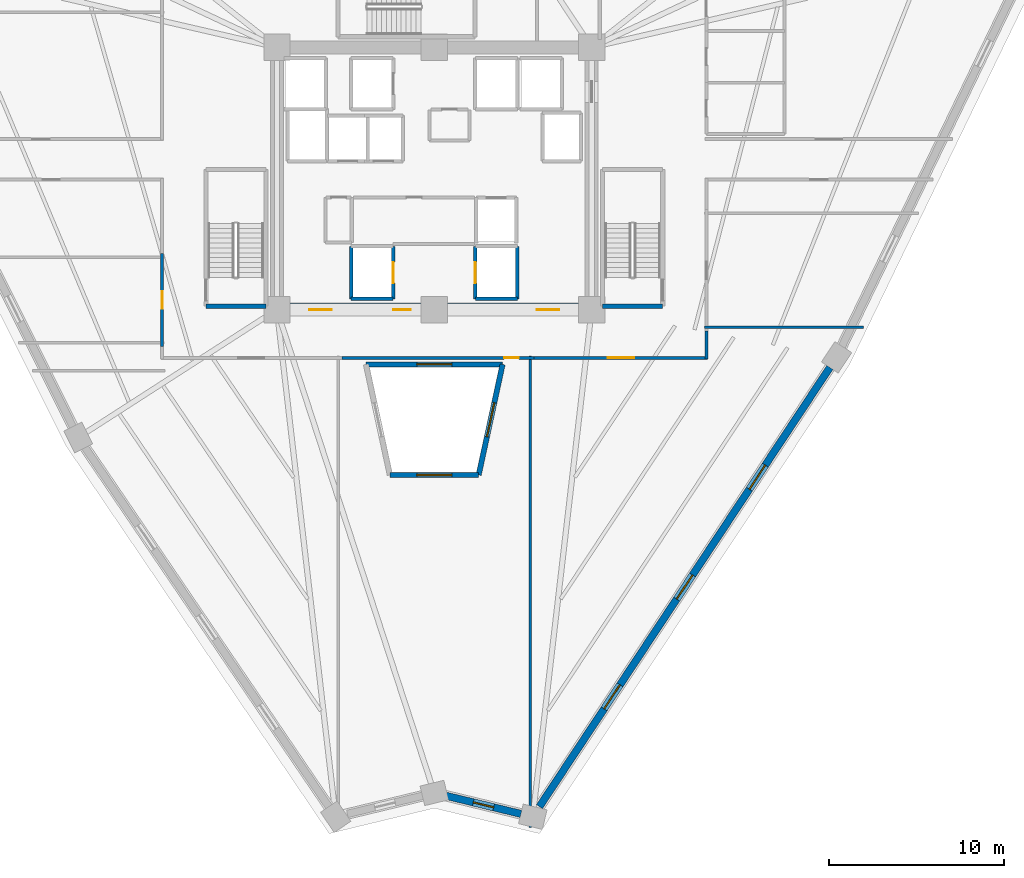
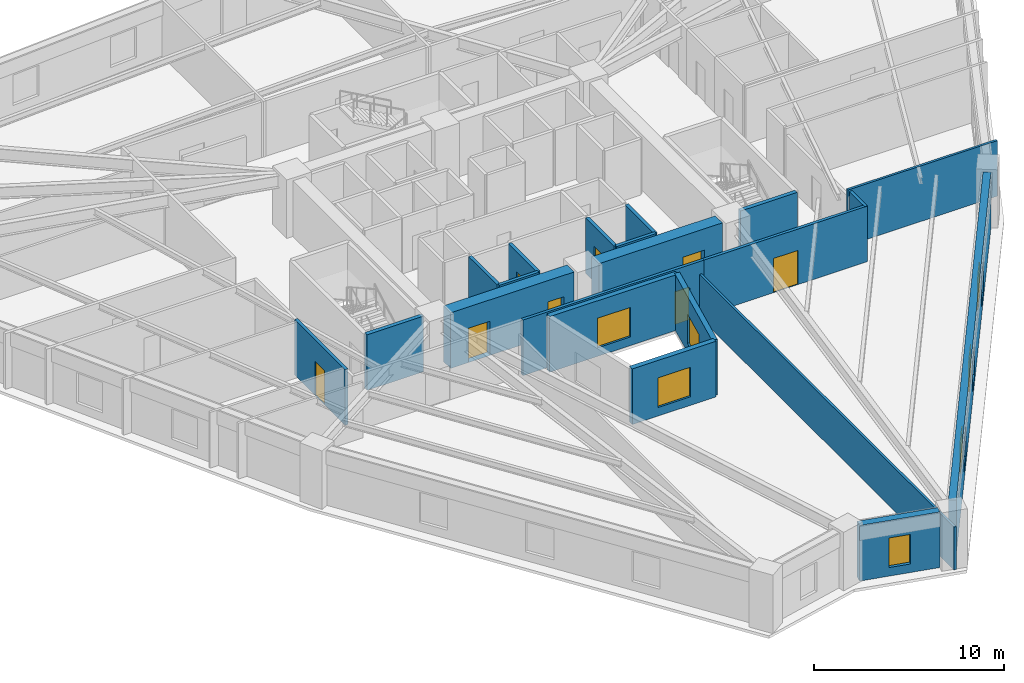
# One storey, part 3 of 8: 21 walls, 8 doors, 7 windows, 15 openings.
"""IFC4 building model written with IfcOpenShell, lengths in metres."""

from ifc_helpers import new_model, si_unit, direction, frame, frame_2d, origin, place, context, subcontext, project, spatial, rectangle, extrude, source, transform, mapped, material, layer, layer_set, type_object, element, fill, save


model = new_model("IFC4")

# Units and contexts
model_context = context("Model", 3, precision=1e-05, world=origin(), true_north=direction((0.0, 1.0)))
body_context = subcontext(model_context, "Body", "Model", "MODEL_VIEW")
ifc_project = project(units=[si_unit("LENGTHUNIT", "METRE"), si_unit("AREAUNIT", "SQUARE_METRE"), si_unit("VOLUMEUNIT", "CUBIC_METRE"), si_unit("PLANEANGLEUNIT", "RADIAN"), si_unit("MASSUNIT", "GRAM", prefix="KILO")], contexts=[model_context])

# Site, building, storey
site_placement = place(None, origin())
site = spatial("IfcSite", under=ifc_project, at=site_placement, CompositionType="ELEMENT")
building_placement = place(site_placement, origin())
building = spatial("IfcBuilding", under=site, at=building_placement, Name="Liaohun Quay Tower", CompositionType="ELEMENT")
storey_placement = place(building_placement, frame((0.0, 0.0, 177.75)))
storey = spatial("IfcBuildingStorey", under=building, at=storey_placement, Name="L46", CompositionType="ELEMENT", Elevation=177.75)

# Wall, opening, window
ifc_material_1 = material(Name="Concrete C50", Category="concrete")
ifc_layer_1 = layer(ifc_material_1, 0.300048828125, Name="Concrete C50", Category="concrete")
ifc_layer_set_1 = layer_set([ifc_layer_1], Name="Concrete C50")
wall_type_1 = type_object("IfcWallType", Name="WAL-ATR-300", PredefinedType="SOLIDWALL", material=ifc_layer_set_1)
wall_1_placement = place(storey_placement, frame((56.093017578125, 43.3701171875, 0.0), z_axis=(0.0, 0.0, 1.0), x_axis=(1.0, 0.0, 0.0)))
wall_1 = element("IfcWall", 1, at=wall_1_placement, inside=storey, type_object=wall_type_1, Name="L46 Atrium Fire Compartment Wall 2", PredefinedType="SOLIDWALL", context=body_context, shape_type="SweptSolid", body=[
    extrude(rectangle(XDim=7.81396484375, YDim=0.300048828125, at=frame_2d((3.906982421875, 0.0))), origin(), (0.0, 0.0, 1.0), 3.570068359375),
])
shared_shape_1 = source(origin(), body_context, "Body", "SweptSolid", [
    extrude(rectangle(XDim=2.0, YDim=1.89990234375, at=frame_2d((1.0, 0.949951171875))), frame((0.0, 0.159912109375, 0.0), z_axis=(0.0, -1.0, 0.0), x_axis=(1.0, 0.0, 0.0)), (0.0, 0.0, 1.0), 0.320068359375),
])
opening_1_placement = place(wall_1_placement, frame((2.906982421875, 0.0, 0.550048828125)))
opening_1 = element("IfcOpeningElement", 2, at=opening_1_placement, cuts=wall_1, Name="Opening W07", PredefinedType="OPENING", context=body_context, shape_type="MappedRepresentation", body=[
    mapped(shared_shape_1, transform((0.0, 0.0, 0.0), x_axis=(1.0, 0.0, 0.0), y_axis=(0.0, 1.0, 0.0), z_axis=(0.0, 0.0, 1.0), scale=1.0)),
])
ifc_material_2 = material(Name="Class A 180-min fire-resistant insulated glazing", Category="glass")
window_type_1 = type_object("IfcWindowType", Name="WIN-ATR-FIR", PartitioningType="DOUBLE_PANEL_VERTICAL", PredefinedType="WINDOW", material=ifc_material_2)
shared_shape_2 = source(origin(), body_context, "Body", "SweptSolid", [
    extrude(rectangle(XDim=2.0, YDim=1.89990234375, at=frame_2d((1.0, 0.949951171875))), frame((0.0, 0.030029296875, 0.0), z_axis=(0.0, -1.0, 0.0), x_axis=(1.0, 0.0, 0.0)), (0.0, 0.0, 1.0), 0.06005859375),
])
window_1_placement = place(opening_1_placement, origin())
window_1 = element("IfcWindow", 3, at=window_1_placement, inside=storey, type_object=window_type_1, Name="L46 Atrium Fire-Resistant Glazing W07-2", OverallHeight=1.89990234375, OverallWidth=2.0, PartitioningType="DOUBLE_PANEL_VERTICAL", PredefinedType="WINDOW", context=body_context, shape_type="MappedRepresentation", body=[
    mapped(shared_shape_2, transform((0.0, 0.0, 0.0), x_axis=(1.0, 0.0, 0.0), y_axis=(0.0, 1.0, 0.0), z_axis=(0.0, 0.0, 1.0), scale=1.0)),
])
fill(opening_1, window_1)

wall_2_placement = place(storey_placement, frame((63.906982421875, 43.3701171875, 0.0), z_axis=(0.0, 0.0, 1.0), x_axis=(-0.211409755765, -0.977397521568, 0.0)))
wall_2 = element("IfcWall", 4, at=wall_2_placement, inside=storey, type_object=wall_type_1, Name="L46 Atrium Fire Compartment Wall 3", PredefinedType="SOLIDWALL", context=body_context, shape_type="SweptSolid", body=[
    extrude(rectangle(XDim=6.470458984375, YDim=0.300048828125, at=frame_2d((3.2353515625, 0.0))), origin(), (0.0, 0.0, 1.0), 3.570068359375),
])
opening_2_placement = place(wall_2_placement, frame((2.235107421875, 0.0, 0.550048828125)))
opening_2 = element("IfcOpeningElement", 5, at=opening_2_placement, cuts=wall_2, Name="Opening W07", PredefinedType="OPENING", context=body_context, shape_type="MappedRepresentation", body=[
    mapped(shared_shape_1, transform((0.0, 0.0, 0.0), x_axis=(1.0, 0.0, 0.0), y_axis=(0.0, 1.0, 0.0), z_axis=(0.0, 0.0, 1.0), scale=1.0)),
])
window_2_placement = place(opening_2_placement, origin())
window_2 = element("IfcWindow", 6, at=window_2_placement, inside=storey, type_object=window_type_1, Name="L46 Atrium Fire-Resistant Glazing W07-3", OverallHeight=1.89990234375, OverallWidth=2.0, PartitioningType="DOUBLE_PANEL_VERTICAL", PredefinedType="WINDOW", context=body_context, shape_type="MappedRepresentation", body=[
    mapped(shared_shape_2, transform((0.0, 0.0, 0.0), x_axis=(1.0, 0.0, 0.0), y_axis=(0.0, 1.0, 0.0), z_axis=(0.0, 0.0, 1.0), scale=1.0)),
])
fill(opening_2, window_2)

wall_3_placement = place(storey_placement, frame((62.5390625, 37.0458984375, 0.0), z_axis=(0.0, 0.0, 1.0), x_axis=(-1.0, 0.0, 0.0)))
wall_3 = element("IfcWall", 7, at=wall_3_placement, inside=storey, type_object=wall_type_1, Name="L46 Atrium Fire Compartment Wall 4", PredefinedType="SOLIDWALL", context=body_context, shape_type="SweptSolid", body=[
    extrude(rectangle(XDim=5.078125, YDim=0.300048828125, at=frame_2d((2.5390625, 0.0))), origin(), (0.0, 0.0, 1.0), 3.570068359375),
])
opening_3_placement = place(wall_3_placement, frame((1.5390625, 0.0, 0.550048828125)))
opening_3 = element("IfcOpeningElement", 8, at=opening_3_placement, cuts=wall_3, Name="Opening W07", PredefinedType="OPENING", context=body_context, shape_type="MappedRepresentation", body=[
    mapped(shared_shape_1, transform((0.0, 0.0, 0.0), x_axis=(1.0, 0.0, 0.0), y_axis=(0.0, 1.0, 0.0), z_axis=(0.0, 0.0, 1.0), scale=1.0)),
])
window_3_placement = place(opening_3_placement, origin())
window_3 = element("IfcWindow", 9, at=window_3_placement, inside=storey, type_object=window_type_1, Name="L46 Atrium Fire-Resistant Glazing W07-4", OverallHeight=1.89990234375, OverallWidth=2.0, PartitioningType="DOUBLE_PANEL_VERTICAL", PredefinedType="WINDOW", context=body_context, shape_type="MappedRepresentation", body=[
    mapped(shared_shape_2, transform((0.0, 0.0, 0.0), x_axis=(1.0, 0.0, 0.0), y_axis=(0.0, 1.0, 0.0), z_axis=(0.0, 0.0, 1.0), scale=1.0)),
])
fill(opening_3, window_3)

# Wall, opening, door
ifc_material_3 = material(Name="Concrete C60", Category="concrete")
ifc_layer_2 = layer(ifc_material_3, 0.75, Name="Concrete C60", Category="concrete")
ifc_layer_set_2 = layer_set([ifc_layer_2], Name="Concrete C60")
wall_type_2 = type_object("IfcWallType", Name="WAL-COR-Z2", PredefinedType="SHEAR", material=ifc_layer_set_2)
wall_4_placement = place(storey_placement, frame((68.25, 46.5, 0.0), z_axis=(0.0, 0.0, 1.0), x_axis=(-1.0, 0.0, 0.0)))
wall_4 = element("IfcWall", 10, at=wall_4_placement, inside=storey, type_object=wall_type_2, Name="L46 Central Core Shear Wall S-E", PredefinedType="SHEAR", context=body_context, shape_type="SweptSolid", body=[
    extrude(rectangle(XDim=7.5, YDim=0.75, at=frame_2d((3.75, 0.0))), origin(), (0.0, 0.0, 1.0), 3.570068359375),
])
shared_shape_3 = source(origin(), body_context, "Body", "SweptSolid", [
    extrude(rectangle(XDim=1.300048828125, YDim=2.199951171875, at=frame_2d((0.64990234375, 1.10009765625))), frame((0.0, 0.385009765625, 0.0), z_axis=(0.0, -1.0, 0.0), x_axis=(1.0, 0.0, 0.0)), (0.0, 0.0, 1.0), 0.77001953125),
])
opening_4_placement = place(wall_4_placement, frame((1.10009765625, 0.0, 0.0)))
opening_4 = element("IfcOpeningElement", 11, at=opening_4_placement, cuts=wall_4, Name="Opening FD1", PredefinedType="OPENING", context=body_context, shape_type="MappedRepresentation", body=[
    mapped(shared_shape_3, transform((0.0, 0.0, 0.0), x_axis=(1.0, 0.0, 0.0), y_axis=(0.0, 1.0, 0.0), z_axis=(0.0, 0.0, 1.0), scale=1.0)),
])
ifc_material_4 = material(Name="Galvanised steel smokeproof fire door", Category="steel")
door_type_1 = type_object("IfcDoorType", Name="DOR-FFL-1300", OperationType="NOTDEFINED", PredefinedType="DOOR", material=ifc_material_4)
shared_shape_4 = source(origin(), body_context, "Body", "SweptSolid", [
    extrude(rectangle(XDim=1.300048828125, YDim=2.199951171875, at=frame_2d((0.64990234375, 1.10009765625))), frame((0.0, 0.02490234375, 0.0), z_axis=(0.0, -1.0, 0.0), x_axis=(1.0, 0.0, 0.0)), (0.0, 0.0, 1.0), 0.050048828125),
])
door_1_placement = place(opening_4_placement, origin())
door_1 = element("IfcDoor", 12, at=door_1_placement, inside=storey, type_object=door_type_1, Name="L46 East Core Lift Lobby Smokeproof Door", OperationType="SINGLE_SWING_LEFT", OverallHeight=2.199951171875, OverallWidth=1.300048828125, PredefinedType="DOOR", context=body_context, shape_type="MappedRepresentation", body=[
    mapped(shared_shape_4, transform((0.0, 0.0, 0.0), x_axis=(1.0, 0.0, 0.0), y_axis=(0.0, 1.0, 0.0), z_axis=(0.0, 0.0, 1.0), scale=1.0)),
])
fill(opening_4, door_1)

# Wall, openings, doors
wall_5_placement = place(storey_placement, frame((59.25, 46.5, 0.0), z_axis=(0.0, 0.0, 1.0), x_axis=(-1.0, 0.0, 0.0)))
wall_5 = element("IfcWall", 13, at=wall_5_placement, inside=storey, type_object=wall_type_2, Name="L46 Central Core Shear Wall S-W", PredefinedType="SHEAR", context=body_context, shape_type="SweptSolid", body=[
    extrude(rectangle(XDim=7.5, YDim=0.75, at=frame_2d((3.75, 0.0))), origin(), (0.0, 0.0, 1.0), 3.570068359375),
])
opening_5_placement = place(wall_5_placement, frame((5.10009765625, 0.0, 0.0)))
opening_5 = element("IfcOpeningElement", 14, at=opening_5_placement, cuts=wall_5, Name="Opening FD1", PredefinedType="OPENING", context=body_context, shape_type="MappedRepresentation", body=[
    mapped(shared_shape_3, transform((0.0, 0.0, 0.0), x_axis=(1.0, 0.0, 0.0), y_axis=(0.0, 1.0, 0.0), z_axis=(0.0, 0.0, 1.0), scale=1.0)),
])
shared_shape_5 = source(origin(), body_context, "Body", "SweptSolid", [
    extrude(rectangle(XDim=1.0, YDim=2.199951171875, at=frame_2d((0.5, 1.10009765625))), frame((0.0, 0.385009765625, 0.0), z_axis=(0.0, -1.0, 0.0), x_axis=(1.0, 0.0, 0.0)), (0.0, 0.0, 1.0), 0.77001953125),
])
opening_6_placement = place(wall_5_placement, frame((0.60009765625, 0.0, 0.0)))
opening_6 = element("IfcOpeningElement", 15, at=opening_6_placement, cuts=wall_5, Name="Opening FD2", PredefinedType="OPENING", context=body_context, shape_type="MappedRepresentation", body=[
    mapped(shared_shape_5, transform((0.0, 0.0, 0.0), x_axis=(1.0, 0.0, 0.0), y_axis=(0.0, 1.0, 0.0), z_axis=(0.0, 0.0, 1.0), scale=1.0)),
])
door_2_placement = place(opening_5_placement, origin())
door_2 = element("IfcDoor", 16, at=door_2_placement, inside=storey, type_object=door_type_1, Name="L46 West Core Lift Lobby Smokeproof Door", OperationType="SINGLE_SWING_RIGHT", OverallHeight=2.199951171875, OverallWidth=1.300048828125, PredefinedType="DOOR", context=body_context, shape_type="MappedRepresentation", body=[
    mapped(shared_shape_4, transform((0.0, 0.0, 0.0), x_axis=(1.0, 0.0, 0.0), y_axis=(0.0, 1.0, 0.0), z_axis=(0.0, 0.0, 1.0), scale=1.0)),
])
fill(opening_5, door_2)
ifc_material_5 = material(Name="Galvanised steel smokeproof lobby fire door", Category="steel")
door_type_2 = type_object("IfcDoorType", Name="DOR-FFL-1000", OperationType="NOTDEFINED", PredefinedType="DOOR", material=ifc_material_5)
shared_shape_6 = source(origin(), body_context, "Body", "SweptSolid", [
    extrude(rectangle(XDim=1.0, YDim=2.199951171875, at=frame_2d((0.5, 1.10009765625))), frame((0.0, 0.02490234375, 0.0), z_axis=(0.0, -1.0, 0.0), x_axis=(1.0, 0.0, 0.0)), (0.0, 0.0, 1.0), 0.050048828125),
])
door_3_placement = place(opening_6_placement, origin())
door_3 = element("IfcDoor", 17, at=door_3_placement, inside=storey, type_object=door_type_2, Name="L46 South Firefighting Lobby Smokeproof Door", OperationType="SINGLE_SWING_LEFT", OverallHeight=2.199951171875, OverallWidth=1.0, PredefinedType="DOOR", context=body_context, shape_type="MappedRepresentation", body=[
    mapped(shared_shape_6, transform((0.0, 0.0, 0.0), x_axis=(1.0, 0.0, 0.0), y_axis=(0.0, 1.0, 0.0), z_axis=(0.0, 0.0, 1.0), scale=1.0)),
])
fill(opening_6, door_3)

# Wall, opening, window
ifc_material_6 = material(Name="Precast concrete C50 insulated sandwich", Category="concrete")
ifc_layer_3 = layer(ifc_material_6, 0.419921875, Name="Precast concrete C50 insulated sandwich", Category="concrete")
ifc_layer_set_3 = layer_set([ifc_layer_3], Name="Precast concrete C50 insulated sandwich")
wall_type_3 = type_object("IfcWallType", Name="WAL-EXT-Z12", PredefinedType="SOLIDWALL", material=ifc_layer_set_3)
wall_6_placement = place(storey_placement, frame((60.6708984375, 18.7041015625, 0.0), z_axis=(0.0, 0.0, 1.0), x_axis=(0.972038673822, -0.234820818061, 0.0)))
wall_6 = element("IfcWall", 18, at=wall_6_placement, inside=storey, type_object=wall_type_3, Name="L46 Brutalist Precast Pier Wall 01", PredefinedType="SOLIDWALL", context=body_context, shape_type="SweptSolid", body=[
    extrude(rectangle(XDim=4.412353515625, YDim=0.419921875, at=frame_2d((2.2060546875, 0.0))), origin(), (0.0, 0.0, 1.0), 3.570068359375),
])
shared_shape_7 = source(origin(), body_context, "Body", "SweptSolid", [
    extrude(rectangle(XDim=1.199951171875, YDim=1.89990234375, at=frame_2d((0.60009765625, 0.949951171875))), frame((0.0, 0.219970703125, 0.0), z_axis=(0.0, -1.0, 0.0), x_axis=(1.0, 0.0, 0.0)), (0.0, 0.0, 1.0), 0.43994140625),
])
opening_7_placement = place(wall_6_placement, frame((1.60595703125, 0.0, 0.550048828125)))
opening_7 = element("IfcOpeningElement", 19, at=opening_7_placement, cuts=wall_6, Name="Opening W05", PredefinedType="OPENING", context=body_context, shape_type="MappedRepresentation", body=[
    mapped(shared_shape_7, transform((0.0, 0.0, 0.0), x_axis=(1.0, 0.0, 0.0), y_axis=(0.0, 1.0, 0.0), z_axis=(0.0, 0.0, 1.0), scale=1.0)),
])
ifc_material_7 = material(Name="Triple Low-E corner notch glazing", Category="glass")
window_type_2 = type_object("IfcWindowType", Name="WIN-NOTCH", PartitioningType="SINGLE_PANEL", PredefinedType="WINDOW", material=ifc_material_7)
shared_shape_8 = source(origin(), body_context, "Body", "SweptSolid", [
    extrude(rectangle(XDim=1.199951171875, YDim=1.89990234375, at=frame_2d((0.60009765625, 0.949951171875))), frame((0.0, 0.030029296875, 0.0), z_axis=(0.0, -1.0, 0.0), x_axis=(1.0, 0.0, 0.0)), (0.0, 0.0, 1.0), 0.06005859375),
])
window_4_placement = place(opening_7_placement, origin())
window_4 = element("IfcWindow", 20, at=window_4_placement, inside=storey, type_object=window_type_2, Name="L46 Corner Notch Window W05-01", OverallHeight=1.89990234375, OverallWidth=1.199951171875, PartitioningType="SINGLE_PANEL", PredefinedType="WINDOW", context=body_context, shape_type="MappedRepresentation", body=[
    mapped(shared_shape_8, transform((0.0, 0.0, 0.0), x_axis=(1.0, 0.0, 0.0), y_axis=(0.0, 1.0, 0.0), z_axis=(0.0, 0.0, 1.0), scale=1.0)),
])
fill(opening_7, window_4)

# Wall, openings, windows
wall_7_placement = place(storey_placement, frame((66.011962890625, 18.08203125, 0.0), z_axis=(0.0, 0.0, 1.0), x_axis=(0.551595967402, 0.834111436647, 0.0)))
wall_7 = element("IfcWall", 21, at=wall_7_placement, inside=storey, type_object=wall_type_3, Name="L46 Brutalist Precast Pier Wall 02", PredefinedType="SOLIDWALL", context=body_context, shape_type="SweptSolid", body=[
    extrude(rectangle(XDim=30.111083984375, YDim=0.419921875, at=frame_2d((15.0556640625, 0.0))), origin(), (0.0, 0.0, 1.0), 3.570068359375),
])
shared_shape_9 = source(origin(), body_context, "Body", "SweptSolid", [
    extrude(rectangle(XDim=1.64990234375, YDim=1.949951171875, at=frame_2d((0.824951171875, 0.97509765625))), frame((0.0, 0.219970703125, 0.0), z_axis=(0.0, -1.0, 0.0), x_axis=(1.0, 0.0, 0.0)), (0.0, 0.0, 1.0), 0.43994140625),
])
opening_8_placement = place(wall_7_placement, frame((6.702880859375, 0.0, 0.550048828125)))
opening_8 = element("IfcOpeningElement", 22, at=opening_8_placement, cuts=wall_7, Name="Opening W02", PredefinedType="OPENING", context=body_context, shape_type="MappedRepresentation", body=[
    mapped(shared_shape_9, transform((0.0, 0.0, 0.0), x_axis=(1.0, 0.0, 0.0), y_axis=(0.0, 1.0, 0.0), z_axis=(0.0, 0.0, 1.0), scale=1.0)),
])
opening_9_placement = place(wall_7_placement, frame((14.23095703125, 0.0, 0.550048828125)))
opening_9 = element("IfcOpeningElement", 23, at=opening_9_placement, cuts=wall_7, Name="Opening W02", PredefinedType="OPENING", context=body_context, shape_type="MappedRepresentation", body=[
    mapped(shared_shape_9, transform((0.0, 0.0, 0.0), x_axis=(1.0, 0.0, 0.0), y_axis=(0.0, 1.0, 0.0), z_axis=(0.0, 0.0, 1.0), scale=1.0)),
])
opening_10_placement = place(wall_7_placement, frame((21.758056640625, 0.0, 0.550048828125)))
opening_10 = element("IfcOpeningElement", 24, at=opening_10_placement, cuts=wall_7, Name="Opening W02", PredefinedType="OPENING", context=body_context, shape_type="MappedRepresentation", body=[
    mapped(shared_shape_9, transform((0.0, 0.0, 0.0), x_axis=(1.0, 0.0, 0.0), y_axis=(0.0, 1.0, 0.0), z_axis=(0.0, 0.0, 1.0), scale=1.0)),
])
ifc_material_8 = material(Name="Triple Low-E argon glazing in thermally broken aluminium", Category="aluminium")
window_type_3 = type_object("IfcWindowType", Name="WIN-PUN-Z2", PartitioningType="DOUBLE_PANEL_VERTICAL", PredefinedType="WINDOW", material=ifc_material_8)
shared_shape_10 = source(origin(), body_context, "Body", "SweptSolid", [
    extrude(rectangle(XDim=1.64990234375, YDim=1.949951171875, at=frame_2d((0.824951171875, 0.97509765625))), frame((0.0, 0.030029296875, 0.0), z_axis=(0.0, -1.0, 0.0), x_axis=(1.0, 0.0, 0.0)), (0.0, 0.0, 1.0), 0.06005859375),
])
window_5_placement = place(opening_8_placement, origin())
window_5 = element("IfcWindow", 25, at=window_5_placement, inside=storey, type_object=window_type_3, Name="L46 Recessed Cold-Climate Punched Window 02-1", OverallHeight=1.949951171875, OverallWidth=1.64990234375, PartitioningType="DOUBLE_PANEL_VERTICAL", PredefinedType="WINDOW", context=body_context, shape_type="MappedRepresentation", body=[
    mapped(shared_shape_10, transform((0.0, 0.0, 0.0), x_axis=(1.0, 0.0, 0.0), y_axis=(0.0, 1.0, 0.0), z_axis=(0.0, 0.0, 1.0), scale=1.0)),
])
fill(opening_8, window_5)
window_6_placement = place(opening_9_placement, origin())
window_6 = element("IfcWindow", 26, at=window_6_placement, inside=storey, type_object=window_type_3, Name="L46 Recessed Cold-Climate Punched Window 02-2", OverallHeight=1.949951171875, OverallWidth=1.64990234375, PartitioningType="DOUBLE_PANEL_VERTICAL", PredefinedType="WINDOW", context=body_context, shape_type="MappedRepresentation", body=[
    mapped(shared_shape_10, transform((0.0, 0.0, 0.0), x_axis=(1.0, 0.0, 0.0), y_axis=(0.0, 1.0, 0.0), z_axis=(0.0, 0.0, 1.0), scale=1.0)),
])
fill(opening_9, window_6)
window_7_placement = place(opening_10_placement, origin())
window_7 = element("IfcWindow", 27, at=window_7_placement, inside=storey, type_object=window_type_3, Name="L46 Recessed Cold-Climate Punched Window 02-3", OverallHeight=1.949951171875, OverallWidth=1.64990234375, PartitioningType="DOUBLE_PANEL_VERTICAL", PredefinedType="WINDOW", context=body_context, shape_type="MappedRepresentation", body=[
    mapped(shared_shape_10, transform((0.0, 0.0, 0.0), x_axis=(1.0, 0.0, 0.0), y_axis=(0.0, 1.0, 0.0), z_axis=(0.0, 0.0, 1.0), scale=1.0)),
])
fill(opening_10, window_7)

# Wall, opening, door
ifc_material_9 = material(Name="Autoclaved aerated concrete blockwork", Category="masonry")
ifc_layer_4 = layer(ifc_material_9, 0.179931640625, Name="Autoclaved aerated concrete blockwork", Category="masonry")
ifc_layer_set_4 = layer_set([ifc_layer_4], Name="Autoclaved aerated concrete blockwork")
wall_type_4 = type_object("IfcWallType", Name="WAL-PRT-COR", PredefinedType="PARTITIONING", material=ifc_layer_set_4)
wall_8_placement = place(storey_placement, frame((44.43994140625, 44.385009765625, 0.0), z_axis=(0.0, 0.0, 1.0), x_axis=(0.0, 1.0, 0.0)))
wall_8 = element("IfcWall", 28, at=wall_8_placement, inside=storey, type_object=wall_type_4, Name="L46 Interior Partition Wall 018", PredefinedType="PARTITIONING", context=body_context, shape_type="SweptSolid", body=[
    extrude(rectangle(XDim=5.330078125, YDim=0.179931640625, at=frame_2d((2.6650390625, 0.0))), origin(), (0.0, 0.0, 1.0), 3.570068359375),
])
shared_shape_11 = source(origin(), body_context, "Body", "SweptSolid", [
    extrude(rectangle(XDim=1.0, YDim=2.199951171875, at=frame_2d((0.5, 1.10009765625))), frame((0.0, 0.099853515625, 0.0), z_axis=(0.0, -1.0, 0.0), x_axis=(1.0, 0.0, 0.0)), (0.0, 0.0, 1.0), 0.199951171875),
])
opening_11_placement = place(wall_8_placement, frame((2.1650390625, 0.0, 0.0)))
opening_11 = element("IfcOpeningElement", 29, at=opening_11_placement, cuts=wall_8, Name="Opening OD1", PredefinedType="OPENING", context=body_context, shape_type="MappedRepresentation", body=[
    mapped(shared_shape_11, transform((0.0, 0.0, 0.0), x_axis=(1.0, 0.0, 0.0), y_axis=(0.0, 1.0, 0.0), z_axis=(0.0, 0.0, 1.0), scale=1.0)),
])
ifc_material_10 = material(Name="Solid-core oak veneer timber leaf in steel frame", Category="steel")
door_type_3 = type_object("IfcDoorType", Name="DOR-OFF-1000", OperationType="NOTDEFINED", PredefinedType="DOOR", material=ifc_material_10)
door_4_placement = place(opening_11_placement, origin())
door_4 = element("IfcDoor", 30, at=door_4_placement, inside=storey, type_object=door_type_3, Name="L46 Digital Prototyping Laboratory 08 Door", OperationType="SINGLE_SWING_LEFT", OverallHeight=2.199951171875, OverallWidth=1.0, PredefinedType="DOOR", context=body_context, shape_type="MappedRepresentation", body=[
    mapped(shared_shape_6, transform((0.0, 0.0, 0.0), x_axis=(1.0, 0.0, 0.0), y_axis=(0.0, 1.0, 0.0), z_axis=(0.0, 0.0, 1.0), scale=1.0)),
])
fill(opening_11, door_4)

wall_9_placement = place(storey_placement, frame((65.715087890625, 43.739990234375, 0.0), z_axis=(0.0, 0.0, 1.0), x_axis=(-1.0, 0.0, 0.0)))
wall_9 = element("IfcWall", 31, at=wall_9_placement, inside=storey, type_object=wall_type_4, Name="L46 Interior Partition Wall 020", PredefinedType="PARTITIONING", context=body_context, shape_type="SweptSolid", body=[
    extrude(rectangle(XDim=11.0, YDim=0.179931640625, at=frame_2d((5.5, 0.0))), origin(), (0.0, 0.0, 1.0), 3.570068359375),
])
shared_shape_12 = source(origin(), body_context, "Body", "SweptSolid", [
    extrude(rectangle(XDim=0.85009765625, YDim=2.10009765625, at=frame_2d((0.425048828125, 1.050048828125))), frame((0.0, 0.099853515625, 0.0), z_axis=(0.0, -1.0, 0.0), x_axis=(1.0, 0.0, 0.0)), (0.0, 0.0, 1.0), 0.199951171875),
])
opening_12_placement = place(wall_9_placement, frame((0.875, 0.0, 0.0)))
opening_12 = element("IfcOpeningElement", 32, at=opening_12_placement, cuts=wall_9, Name="Opening AD1", PredefinedType="OPENING", context=body_context, shape_type="MappedRepresentation", body=[
    mapped(shared_shape_12, transform((0.0, 0.0, 0.0), x_axis=(1.0, 0.0, 0.0), y_axis=(0.0, 1.0, 0.0), z_axis=(0.0, 0.0, 1.0), scale=1.0)),
])
ifc_material_11 = material(Name="Steel riser inspection fire door", Category="steel")
door_type_4 = type_object("IfcDoorType", Name="DOR-SHF-850", OperationType="NOTDEFINED", PredefinedType="DOOR", material=ifc_material_11)
shared_shape_13 = source(origin(), body_context, "Body", "SweptSolid", [
    extrude(rectangle(XDim=0.85009765625, YDim=2.10009765625, at=frame_2d((0.425048828125, 1.050048828125))), frame((0.0, 0.02490234375, 0.0), z_axis=(0.0, -1.0, 0.0), x_axis=(1.0, 0.0, 0.0)), (0.0, 0.0, 1.0), 0.050048828125),
])
door_5_placement = place(opening_12_placement, origin())
door_5 = element("IfcDoor", 33, at=door_5_placement, inside=storey, type_object=door_type_4, Name="L46 Open-Plan Office Workplace 10 Door", OperationType="SINGLE_SWING_LEFT", OverallHeight=2.10009765625, OverallWidth=0.85009765625, PredefinedType="DOOR", context=body_context, shape_type="MappedRepresentation", body=[
    mapped(shared_shape_13, transform((0.0, 0.0, 0.0), x_axis=(1.0, 0.0, 0.0), y_axis=(0.0, 1.0, 0.0), z_axis=(0.0, 0.0, 1.0), scale=1.0)),
])
fill(opening_12, door_5)

wall_10_placement = place(storey_placement, frame((75.6298828125, 43.739990234375, 0.0), z_axis=(0.0, 0.0, 1.0), x_axis=(-1.0, 0.0, 0.0)))
wall_10 = element("IfcWall", 34, at=wall_10_placement, inside=storey, type_object=wall_type_4, Name="L46 Interior Partition Wall 021", PredefinedType="PARTITIONING", context=body_context, shape_type="SweptSolid", body=[
    extrude(rectangle(XDim=9.914794921875, YDim=0.179931640625, at=frame_2d((4.95751953125, 0.0))), origin(), (0.0, 0.0, 1.0), 3.570068359375),
])
shared_shape_14 = source(origin(), body_context, "Body", "SweptSolid", [
    extrude(rectangle(XDim=1.5, YDim=2.199951171875, at=frame_2d((0.75, 1.10009765625))), frame((0.0, 0.099853515625, 0.0), z_axis=(0.0, -1.0, 0.0), x_axis=(1.0, 0.0, 0.0)), (0.0, 0.0, 1.0), 0.199951171875),
])
opening_13_placement = place(wall_10_placement, frame((4.20703125, 0.0, 0.0)))
opening_13 = element("IfcOpeningElement", 35, at=opening_13_placement, cuts=wall_10, Name="Opening OD2", PredefinedType="OPENING", context=body_context, shape_type="MappedRepresentation", body=[
    mapped(shared_shape_14, transform((0.0, 0.0, 0.0), x_axis=(1.0, 0.0, 0.0), y_axis=(0.0, 1.0, 0.0), z_axis=(0.0, 0.0, 1.0), scale=1.0)),
])
ifc_material_12 = material(Name="Acoustic oak veneer double door")
door_type_5 = type_object("IfcDoorType", Name="DOR-OFF-1500", OperationType="DOUBLE_DOOR_SINGLE_SWING", PredefinedType="DOOR", material=ifc_material_12)
shared_shape_15 = source(origin(), body_context, "Body", "SweptSolid", [
    extrude(rectangle(XDim=1.5, YDim=2.199951171875, at=frame_2d((0.75, 1.10009765625))), frame((0.0, 0.02490234375, 0.0), z_axis=(0.0, -1.0, 0.0), x_axis=(1.0, 0.0, 0.0)), (0.0, 0.0, 1.0), 0.050048828125),
])
door_6_placement = place(opening_13_placement, origin())
door_6 = element("IfcDoor", 36, at=door_6_placement, inside=storey, type_object=door_type_5, Name="L46 Executive Partner Office 11 Door", OperationType="DOUBLE_DOOR_SINGLE_SWING", OverallHeight=2.199951171875, OverallWidth=1.5, PredefinedType="DOOR", context=body_context, shape_type="MappedRepresentation", body=[
    mapped(shared_shape_15, transform((0.0, 0.0, 0.0), x_axis=(1.0, 0.0, 0.0), y_axis=(0.0, 1.0, 0.0), z_axis=(0.0, 0.0, 1.0), scale=1.0)),
])
fill(opening_13, door_6)

# Walls
wall_11_placement = place(storey_placement, frame((75.56005859375, 45.284912109375, 0.0), z_axis=(0.0, 0.0, 1.0), x_axis=(0.0, -1.0, 0.0)))
element("IfcWall", 37, at=wall_11_placement, inside=storey, type_object=wall_type_4, Name="L46 Interior Partition Wall 043", PredefinedType="PARTITIONING", context=body_context, shape_type="SweptSolid", body=[
    extrude(rectangle(XDim=1.614990234375, YDim=0.179931640625, at=frame_2d((0.8076171875, 0.0))), origin(), (0.0, 0.0, 1.0), 3.570068359375),
])
ifc_material_13 = material(Name="Gypsum board on twin steel studs", Category="steel")
ifc_layer_5 = layer(ifc_material_13, 0.139892578125, Name="Gypsum board on twin steel studs", Category="steel")
ifc_layer_set_5 = layer_set([ifc_layer_5], Name="Gypsum board on twin steel studs")
wall_type_5 = type_object("IfcWallType", Name="WAL-PRT-OFF", PredefinedType="PARTITIONING", material=ifc_layer_set_5)
wall_12_placement = place(storey_placement, frame((75.4599609375, 45.5, 0.0), z_axis=(0.0, 0.0, 1.0), x_axis=(1.0, 0.0, 0.0)))
element("IfcWall", 38, at=wall_12_placement, inside=storey, type_object=wall_type_5, Name="L46 Interior Partition Wall 050", PredefinedType="PARTITIONING", context=body_context, shape_type="SweptSolid", body=[
    extrude(rectangle(XDim=9.078125, YDim=0.139892578125, at=frame_2d((4.5390625, 0.0))), origin(), (0.0, 0.0, 1.0), 3.570068359375),
])
wall_13_placement = place(storey_placement, frame((65.5, 43.840087890625, 0.0), z_axis=(0.0, 0.0, 1.0), x_axis=(0.0, -1.0, 0.0)))
element("IfcWall", 39, at=wall_13_placement, inside=storey, type_object=wall_type_5, Name="L46 Interior Partition Wall 056", PredefinedType="PARTITIONING", context=body_context, shape_type="SweptSolid", body=[
    extrude(rectangle(XDim=26.9501953125, YDim=0.139892578125, at=frame_2d((13.47509765625, 0.0))), origin(), (0.0, 0.0, 1.0), 2.7548828125),
])
ifc_layer_6 = layer(ifc_material_1, 0.239990234375, Name="Concrete C50", Category="concrete")
ifc_layer_set_6 = layer_set([ifc_layer_6], Name="Concrete C50")
wall_type_6 = type_object("IfcWallType", Name="WAL-SHF-200", PredefinedType="SOLIDWALL", material=ifc_layer_set_6)
for number, where, z_axis, x_axis, name in (
    (40, (46.93994140625, 46.699951171875, 0.0), (0.0, 0.0, 1.0), (1.0, 0.0, 0.0), "L46 Stairwell ST-1 Structural Core Wall S"),
    (41, (69.6201171875, 46.699951171875, 0.0), (0.0, 0.0, 1.0), (1.0, 0.0, 0.0), "L46 Stairwell ST-2 Structural Core Wall S"),
):
    element("IfcWall", number, at=place(storey_placement, frame(where, z_axis=z_axis, x_axis=x_axis)), inside=storey, type_object=wall_type_6, Name=name, PredefinedType="SOLIDWALL", context=body_context, shape_type="SweptSolid", body=[
        extrude(rectangle(XDim=3.43994140625, YDim=0.239990234375, at=frame_2d((1.719970703125, 0.0))), origin(), (0.0, 0.0, 1.0), 3.570068359375),
    ])
wall_14_placement = place(storey_placement, frame((55.25, 47.1201171875, 0.0), z_axis=(0.0, 0.0, 1.0), x_axis=(1.0, 0.0, 0.0)))
element("IfcWall", 42, at=wall_14_placement, inside=storey, type_object=wall_type_6, Name="L46 Lift FF-01 Hoistway Wall S", PredefinedType="SOLIDWALL", context=body_context, shape_type="SweptSolid", body=[
    extrude(rectangle(XDim=2.39990234375, YDim=0.199951171875, at=frame_2d((1.199951171875, 0.0))), origin(), (0.0, 0.0, 1.0), 3.570068359375),
])

# Wall, opening, door
wall_15_placement = place(storey_placement, frame((57.64990234375, 47.1201171875, 0.0), z_axis=(0.0, 0.0, 1.0), x_axis=(0.0, 1.0, 0.0)))
wall_15 = element("IfcWall", 43, at=wall_15_placement, inside=storey, type_object=wall_type_6, Name="L46 Lift FF-01 Hoistway Wall E", PredefinedType="SOLIDWALL", context=body_context, shape_type="SweptSolid", body=[
    extrude(rectangle(XDim=3.0, YDim=0.199951171875, at=frame_2d((1.5, 0.0))), origin(), (0.0, 0.0, 1.0), 3.570068359375),
])
shared_shape_16 = source(origin(), body_context, "Body", "SweptSolid", [
    extrude(rectangle(XDim=1.199951171875, YDim=2.300048828125, at=frame_2d((0.60009765625, 1.14990234375))), frame((0.0, 0.10986328125, 0.0), z_axis=(0.0, -1.0, 0.0), x_axis=(1.0, 0.0, 0.0)), (0.0, 0.0, 1.0), 0.219970703125),
])
opening_14_placement = place(wall_15_placement, frame((0.89990234375, 0.0, 0.0)))
opening_14 = element("IfcOpeningElement", 44, at=opening_14_placement, cuts=wall_15, Name="Opening LD2", PredefinedType="OPENING", context=body_context, shape_type="MappedRepresentation", body=[
    mapped(shared_shape_16, transform((0.0, 0.0, 0.0), x_axis=(1.0, 0.0, 0.0), y_axis=(0.0, 1.0, 0.0), z_axis=(0.0, 0.0, 1.0), scale=1.0)),
])
ifc_material_14 = material(Name="Brushed stainless steel stretcher landing door", Category="steel")
door_type_6 = type_object("IfcDoorType", Name="DOR-LFT-1200", OperationType="SLIDING_TO_LEFT", PredefinedType="DOOR", material=ifc_material_14)
shared_shape_17 = source(origin(), body_context, "Body", "SweptSolid", [
    extrude(rectangle(XDim=1.199951171875, YDim=2.300048828125, at=frame_2d((0.60009765625, 1.14990234375))), frame((0.0, 0.02490234375, 0.0), z_axis=(0.0, -1.0, 0.0), x_axis=(1.0, 0.0, 0.0)), (0.0, 0.0, 1.0), 0.050048828125),
])
door_7_placement = place(opening_14_placement, origin())
door_7 = element("IfcDoor", 45, at=door_7_placement, inside=storey, type_object=door_type_6, Name="L46 Lift FF-01 Sliding Landing Door", OperationType="SLIDING_TO_LEFT", OverallHeight=2.300048828125, OverallWidth=1.199951171875, PredefinedType="DOOR", context=body_context, shape_type="MappedRepresentation", body=[
    mapped(shared_shape_17, transform((0.0, 0.0, 0.0), x_axis=(1.0, 0.0, 0.0), y_axis=(0.0, 1.0, 0.0), z_axis=(0.0, 0.0, 1.0), scale=1.0)),
])
fill(opening_14, door_7)

# Walls
wall_16_placement = place(storey_placement, frame((55.25, 50.1201171875, 0.0), z_axis=(0.0, 0.0, 1.0), x_axis=(0.0, -1.0, 0.0)))
element("IfcWall", 46, at=wall_16_placement, inside=storey, type_object=wall_type_6, Name="L46 Lift FF-01 Hoistway Wall W", PredefinedType="SOLIDWALL", context=body_context, shape_type="SweptSolid", body=[
    extrude(rectangle(XDim=3.0, YDim=0.199951171875, at=frame_2d((1.5, 0.0))), origin(), (0.0, 0.0, 1.0), 3.570068359375),
])
wall_17_placement = place(storey_placement, frame((62.35009765625, 47.1201171875, 0.0), z_axis=(0.0, 0.0, 1.0), x_axis=(1.0, 0.0, 0.0)))
element("IfcWall", 47, at=wall_17_placement, inside=storey, type_object=wall_type_6, Name="L46 Lift FF-02 Hoistway Wall S", PredefinedType="SOLIDWALL", context=body_context, shape_type="SweptSolid", body=[
    extrude(rectangle(XDim=2.39990234375, YDim=0.199951171875, at=frame_2d((1.199951171875, 0.0))), origin(), (0.0, 0.0, 1.0), 3.570068359375),
])
wall_18_placement = place(storey_placement, frame((64.75, 47.1201171875, 0.0), z_axis=(0.0, 0.0, 1.0), x_axis=(0.0, 1.0, 0.0)))
element("IfcWall", 48, at=wall_18_placement, inside=storey, type_object=wall_type_6, Name="L46 Lift FF-02 Hoistway Wall E", PredefinedType="SOLIDWALL", context=body_context, shape_type="SweptSolid", body=[
    extrude(rectangle(XDim=3.0, YDim=0.199951171875, at=frame_2d((1.5, 0.0))), origin(), (0.0, 0.0, 1.0), 3.570068359375),
])

# Wall, opening, door
wall_19_placement = place(storey_placement, frame((62.35009765625, 50.1201171875, 0.0), z_axis=(0.0, 0.0, 1.0), x_axis=(0.0, -1.0, 0.0)))
wall_19 = element("IfcWall", 49, at=wall_19_placement, inside=storey, type_object=wall_type_6, Name="L46 Lift FF-02 Hoistway Wall W", PredefinedType="SOLIDWALL", context=body_context, shape_type="SweptSolid", body=[
    extrude(rectangle(XDim=3.0, YDim=0.199951171875, at=frame_2d((1.5, 0.0))), origin(), (0.0, 0.0, 1.0), 3.570068359375),
])
opening_15_placement = place(wall_19_placement, frame((0.89990234375, 0.0, 0.0)))
opening_15 = element("IfcOpeningElement", 50, at=opening_15_placement, cuts=wall_19, Name="Opening LD2", PredefinedType="OPENING", context=body_context, shape_type="MappedRepresentation", body=[
    mapped(shared_shape_16, transform((0.0, 0.0, 0.0), x_axis=(1.0, 0.0, 0.0), y_axis=(0.0, 1.0, 0.0), z_axis=(0.0, 0.0, 1.0), scale=1.0)),
])
door_8_placement = place(opening_15_placement, origin())
door_8 = element("IfcDoor", 51, at=door_8_placement, inside=storey, type_object=door_type_6, Name="L46 Lift FF-02 Sliding Landing Door", OperationType="SLIDING_TO_LEFT", OverallHeight=2.300048828125, OverallWidth=1.199951171875, PredefinedType="DOOR", context=body_context, shape_type="MappedRepresentation", body=[
    mapped(shared_shape_17, transform((0.0, 0.0, 0.0), x_axis=(1.0, 0.0, 0.0), y_axis=(0.0, 1.0, 0.0), z_axis=(0.0, 0.0, 1.0), scale=1.0)),
])
fill(opening_15, door_8)

save(model, "model.ifc")
